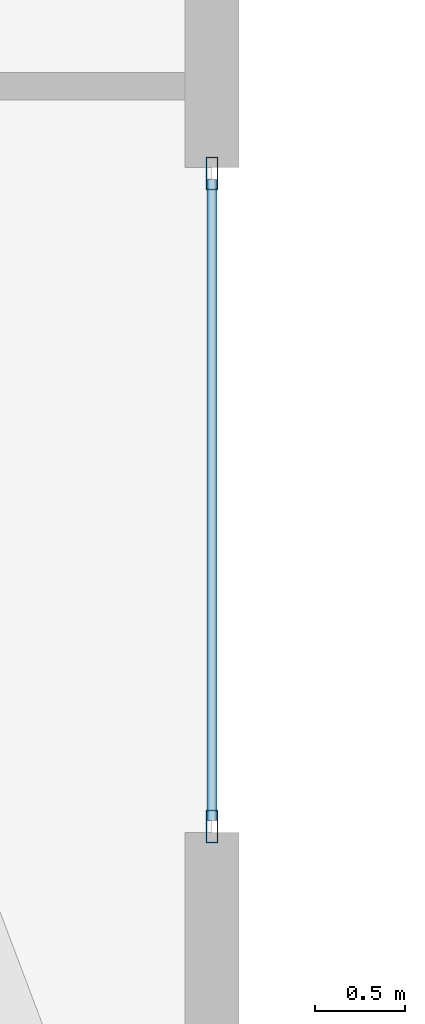
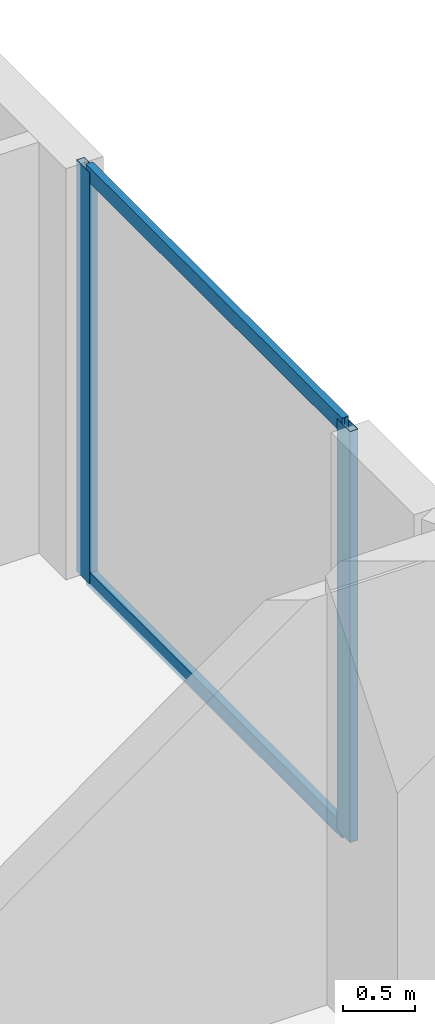
# One storey, part 11 of 26: 4 members, 1 element without a shape of its own.
"""IFC4 building model written with IfcOpenShell, lengths in metres."""

from ifc_helpers import new_model, si_unit, direction, frame, origin, origin_2d, place, context, subcontext, project, spatial, hollow_rectangle, extrude, material, layer, layer_set, material_profile, profile_set, type_object, element, aggregate, save


model = new_model("IFC4")

# Units and contexts
model_context = context("Model", 3, precision=1e-05, world=origin(), true_north=direction((0.0, 1.0)))
body_context = subcontext(model_context, "Body", "Model", "MODEL_VIEW")
ifc_project = project(units=[si_unit("LENGTHUNIT", "METRE"), si_unit("AREAUNIT", "SQUARE_METRE"), si_unit("VOLUMEUNIT", "CUBIC_METRE"), si_unit("PLANEANGLEUNIT", "RADIAN"), si_unit("MASSUNIT", "GRAM", prefix="KILO")], contexts=[model_context])

# Site, building, storey
site_placement = place(None, origin())
site = spatial("IfcSite", under=ifc_project, at=site_placement, CompositionType="ELEMENT")
building_placement = place(site_placement, origin())
building = spatial("IfcBuilding", under=site, at=building_placement, Name="Zuhayl Quay Hotel", CompositionType="ELEMENT")
storey_placement = place(building_placement, frame((0.0, 0.0, 254.449951171875)))
storey = spatial("IfcBuildingStorey", under=building, at=storey_placement, Name="L64", CompositionType="ELEMENT", Elevation=254.449951171875)

# Curtain wall, members
ifc_material_1 = material(Name="Anodised Aluminium 6063-T6", Category="aluminium")
ifc_layer = layer(ifc_material_1, 0.169921875, Name="Anodised Aluminium 6063-T6", Category="aluminium")
ifc_layer_set = layer_set([ifc_layer], Name="Anodised Aluminium 6063-T6")
curtain_wall_type = type_object("IfcCurtainWallType", Name="CW_SYS_Z4", PredefinedType="USERDEFINED", material=ifc_layer_set)
curtain_wall_placement = place(storey_placement, origin())
curtain_wall = element("IfcCurtainWall", 1, at=curtain_wall_placement, inside=storey, type_object=curtain_wall_type, Name="L64 Curtain Wall ENV_L64_E11_CW2", ObjectType="UNITISED CURTAIN WALL", PredefinedType="USERDEFINED")
ifc_material_2 = material(Name="Black-anodised aluminium 6063-T6", Category="aluminium")
ifc_material_profile_1 = material_profile(ifc_material_2, hollow_rectangle(XDim=0.06494140625, YDim=0.179931640625, WallThickness=0.00341796875, at=origin_2d()), Name="ALU180X65")
ifc_profile_set_1 = profile_set([ifc_material_profile_1], Name="Black-anodised aluminium 6063-T6")
member_type_1 = type_object("IfcMemberType", Name="MB_CW_MUL_180", PredefinedType="MULLION", material=ifc_profile_set_1)
member_1_placement = place(storey_placement, frame((20.199951171875, 28.8974609375, 0.0), z_axis=(0.0, 0.0, 1.0), x_axis=(1.0, 0.0, 0.0)))
member_1 = element("IfcMember", 2, at=member_1_placement, type_object=member_type_1, Name="CW-Z4 mullion 1", PredefinedType="MULLION", context=body_context, shape_type="SweptSolid", body=[
    extrude(hollow_rectangle(XDim=0.06494140625, YDim=0.179931640625, WallThickness=0.00341796875, at=origin_2d()), origin(), (0.0, 0.0, 1.0), 3.47998046875),
])
member_2_placement = place(storey_placement, frame((20.199951171875, 25.282470703125, 0.0), z_axis=(0.0, 0.0, 1.0), x_axis=(1.0, 0.0, 0.0)))
member_2 = element("IfcMember", 3, at=member_2_placement, type_object=member_type_1, Name="CW-Z4 mullion 2", PredefinedType="MULLION", context=body_context, shape_type="SweptSolid", body=[
    extrude(hollow_rectangle(XDim=0.06494140625, YDim=0.179931640625, WallThickness=0.00341796875, at=origin_2d()), origin(), (0.0, 0.0, 1.0), 3.47998046875),
])
ifc_material_profile_2 = material_profile(ifc_material_2, hollow_rectangle(XDim=0.054931640625, YDim=0.1298828125, WallThickness=0.0029296875, at=origin_2d()), Name="ALU130X55")
ifc_profile_set_2 = profile_set([ifc_material_profile_2], Name="Black-anodised aluminium 6063-T6")
member_type_2 = type_object("IfcMemberType", Name="MB_CW_TRN_130", PredefinedType="USERDEFINED", material=ifc_profile_set_2)
member_3_placement = place(storey_placement, frame((20.199951171875, 28.864990234375, 0.027587890625), z_axis=(0.0, -1.0, 0.0), x_axis=(1.0, 0.0, 0.0)))
member_3 = element("IfcMember", 4, at=member_3_placement, type_object=member_type_2, Name="CW-Z4 transom 1.1", ObjectType="TRANSOM", PredefinedType="USERDEFINED", context=body_context, shape_type="SweptSolid", body=[
    extrude(hollow_rectangle(XDim=0.054931640625, YDim=0.1298828125, WallThickness=0.0029296875, at=origin_2d()), origin(), (0.0, 0.0, 1.0), 3.550048828125),
])
member_4_placement = place(storey_placement, frame((20.199951171875, 28.864990234375, 3.45263671875), z_axis=(0.0, -1.0, 0.0), x_axis=(1.0, 0.0, 0.0)))
member_4 = element("IfcMember", 5, at=member_4_placement, type_object=member_type_2, Name="CW-Z4 transom 1.2", ObjectType="TRANSOM", PredefinedType="USERDEFINED", context=body_context, shape_type="SweptSolid", body=[
    extrude(hollow_rectangle(XDim=0.054931640625, YDim=0.1298828125, WallThickness=0.0029296875, at=origin_2d()), origin(), (0.0, 0.0, 1.0), 3.550048828125),
])
aggregate(curtain_wall, [member_1, member_2, member_3, member_4])

save(model, "model.ifc")
